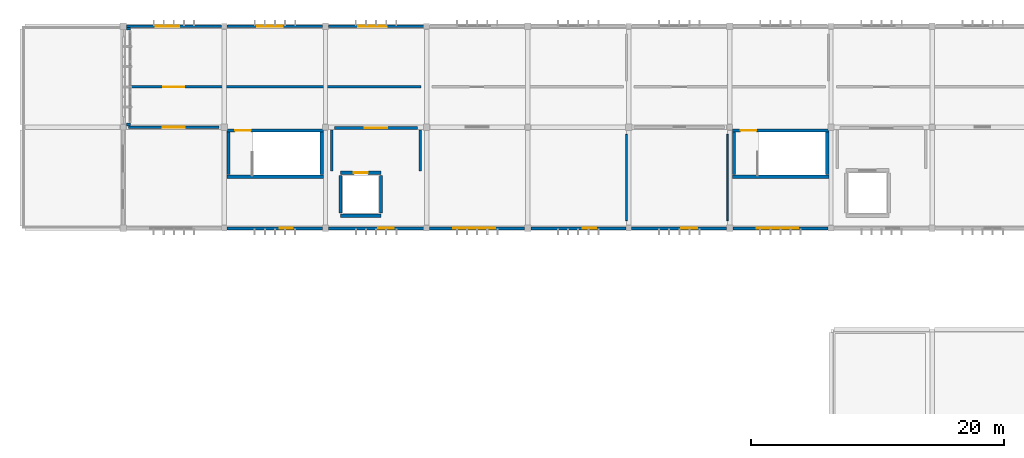
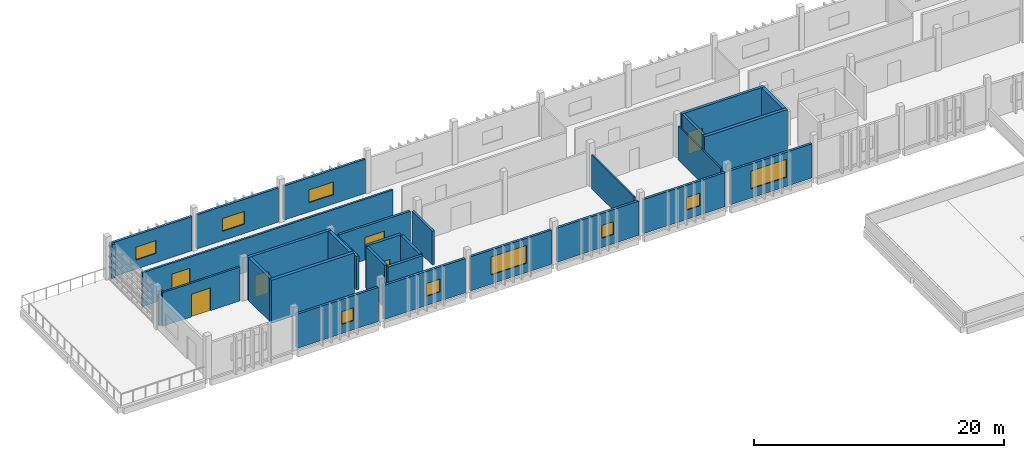
# One storey, part 10 of 16: 30 walls, 9 windows, 6 doors, 15 openings.
"""IFC4 building model written with IfcOpenShell, lengths in metres."""

from ifc_helpers import new_model, si_unit, direction, frame, frame_2d, origin, place, context, subcontext, project, spatial, rectangle, extrude, material, layer, layer_set, type_object, element, fill, save


model = new_model("IFC4")

# Units and contexts
model_context = context("Model", 3, precision=1e-05, world=origin(), true_north=direction((0.0, 1.0)))
body_context = subcontext(model_context, "Body", "Model", "MODEL_VIEW")
ifc_project = project(units=[si_unit("LENGTHUNIT", "METRE"), si_unit("AREAUNIT", "SQUARE_METRE"), si_unit("VOLUMEUNIT", "CUBIC_METRE"), si_unit("PLANEANGLEUNIT", "RADIAN"), si_unit("MASSUNIT", "GRAM", prefix="KILO")], contexts=[model_context])

# Site, building, storey
site_placement = place(None, origin())
site = spatial("IfcSite", under=ifc_project, at=site_placement, CompositionType="ELEMENT")
building_placement = place(site_placement, origin())
building = spatial("IfcBuilding", under=site, at=building_placement, Name="Jelvoka-Kovrelna Polytechnic", CompositionType="ELEMENT")
storey_placement = place(building_placement, frame((0.0, 0.0, 30.60009765625)))
storey = spatial("IfcBuildingStorey", under=building, at=storey_placement, Name="L08", CompositionType="ELEMENT", Elevation=30.60009765625)

# Wall, opening, door
ifc_material_1 = material(Name="Concrete C35/45", Category="concrete")
ifc_layer_1 = layer(ifc_material_1, 0.219970703125)
ifc_layer_set_1 = layer_set([ifc_layer_1], Name="Concrete C35/45")
wall_type_1 = type_object("IfcWallType", Name="Wall_Compartment_220", PredefinedType="PARTITIONING", material=ifc_layer_set_1)
wall_1_placement = place(storey_placement, frame((88.699951171875, 63.949951171875, 0.0), z_axis=(0.0, 0.0, 1.0), x_axis=(1.0, 0.0, 0.0)))
wall_1 = element("IfcWall", 1, at=wall_1_placement, inside=storey, type_object=wall_type_1, Name="L08 interior wall 0317", PredefinedType="PARTITIONING", context=body_context, shape_type="SweptSolid", body=[
    extrude(rectangle(XDim=6.60009765625, YDim=0.219970703125, at=frame_2d((3.300048828125, 0.0))), origin(), (0.0, 0.0, 1.0), 3.2998046875),
])
opening_1_placement = place(wall_1_placement, frame((2.39990234375, 0.0, 0.0)))
opening_1 = element("IfcOpeningElement", 2, at=opening_1_placement, cuts=wall_1, Name="Opening FD-L08-072", PredefinedType="OPENING", context=body_context, shape_type="SweptSolid", body=[
    extrude(rectangle(XDim=1.800048828125, YDim=2.199951171875, at=frame_2d((0.89990234375, 1.10009765625))), frame((0.0, 0.119873046875, 0.0), z_axis=(0.0, -1.0, 0.0), x_axis=(1.0, 0.0, 0.0)), (0.0, 0.0, 1.0), 0.239990234375),
])
ifc_material_2 = material(Name="Paired steel corridor fire door", Category="steel")
door_type_1 = type_object("IfcDoorType", Name="Door_Fire_FD03", OperationType="NOTDEFINED", PredefinedType="DOOR", material=ifc_material_2)
door_1_placement = place(opening_1_placement, origin())
door_1 = element("IfcDoor", 3, at=door_1_placement, inside=storey, type_object=door_type_1, Name="L08 interior door FD-L08-072", OperationType="DOUBLE_DOOR_SINGLE_SWING", OverallHeight=2.199951171875, OverallWidth=1.800048828125, PredefinedType="DOOR", context=body_context, shape_type="SweptSolid", body=[
    extrude(rectangle(XDim=1.800048828125, YDim=2.199951171875, at=frame_2d((0.89990234375, 1.10009765625))), frame((0.0, 0.02490234375, 0.0), z_axis=(0.0, -1.0, 0.0), x_axis=(1.0, 0.0, 0.0)), (0.0, 0.0, 1.0), 0.050048828125),
])
fill(opening_1, door_1)

# Walls
for number, where, z_axis, x_axis, name in (
    (4, (88.5, 60.550048828125, 0.0), (0.0, 0.0, 1.0), (0.0, 1.0, 0.0), "L08 interior wall 0318"),
    (5, (95.5, 60.550048828125, 0.0), (0.0, 0.0, 1.0), (0.0, 1.0, 0.0), "L08 interior wall 0319"),
):
    element("IfcWall", number, at=place(storey_placement, frame(where, z_axis=z_axis, x_axis=x_axis)), inside=storey, type_object=wall_type_1, Name=name, PredefinedType="PARTITIONING", context=body_context, shape_type="SweptSolid", body=[
        extrude(rectangle(XDim=3.25, YDim=0.219970703125, at=frame_2d((1.625, 0.0))), origin(), (0.0, 0.0, 1.0), 3.2998046875),
    ])

# Wall, opening, door
ifc_material_3 = material(Name="Concrete C40/50", Category="concrete")
ifc_layer_2 = layer(ifc_material_3, 0.25)
ifc_layer_set_2 = layer_set([ifc_layer_2], Name="Concrete C40/50")
wall_type_2 = type_object("IfcWallType", Name="Wall_Core_250", PredefinedType="SOLIDWALL", material=ifc_layer_set_2)
wall_2_placement = place(storey_placement, frame((80.199951171875, 63.739990234375, 0.0), z_axis=(0.0, 0.0, 1.0), x_axis=(1.0, 0.0, 0.0)))
wall_2 = element("IfcWall", 6, at=wall_2_placement, inside=storey, type_object=wall_type_2, Name="L08 interior wall 0179", PredefinedType="SOLIDWALL", context=body_context, shape_type="SweptSolid", body=[
    extrude(rectangle(XDim=7.650146484375, YDim=0.25, at=frame_2d((3.8251953125, 0.0))), origin(), (0.0, 0.0, 1.0), 4.199951171875),
])
opening_2_placement = place(wall_2_placement, frame((0.64990234375, 0.0, 0.0)))
opening_2 = element("IfcOpeningElement", 7, at=opening_2_placement, cuts=wall_2, Name="Opening SD-L08-045", PredefinedType="OPENING", context=body_context, shape_type="SweptSolid", body=[
    extrude(rectangle(XDim=1.25, YDim=2.14990234375, at=frame_2d((0.625, 1.074951171875))), frame((0.0, 0.135009765625, 0.0), z_axis=(0.0, -1.0, 0.0), x_axis=(1.0, 0.0, 0.0)), (0.0, 0.0, 1.0), 0.27001953125),
])
ifc_material_4 = material(Name="Powder-coated steel fire door", Category="steel")
door_type_2 = type_object("IfcDoorType", Name="Door_Fire_FD02", OperationType="NOTDEFINED", PredefinedType="DOOR", material=ifc_material_4)
door_2_placement = place(opening_2_placement, origin())
door_2 = element("IfcDoor", 8, at=door_2_placement, inside=storey, type_object=door_type_2, Name="L08 interior door SD-L08-045", OperationType="SINGLE_SWING_LEFT", OverallHeight=2.14990234375, OverallWidth=1.25, PredefinedType="DOOR", context=body_context, shape_type="SweptSolid", body=[
    extrude(rectangle(XDim=1.25, YDim=2.14990234375, at=frame_2d((0.625, 1.074951171875))), frame((0.0, 0.02490234375, 0.0), z_axis=(0.0, -1.0, 0.0), x_axis=(1.0, 0.0, 0.0)), (0.0, 0.0, 1.0), 0.050048828125),
])
fill(opening_2, door_2)

# Wall
wall_3_placement = place(storey_placement, frame((80.324951171875, 60.25, 0.0), z_axis=(0.0, 0.0, 1.0), x_axis=(0.0, 1.0, 0.0)))
element("IfcWall", 9, at=wall_3_placement, inside=storey, type_object=wall_type_2, Name="L08 interior wall 0180", PredefinedType="SOLIDWALL", context=body_context, shape_type="SweptSolid", body=[
    extrude(rectangle(XDim=3.360107421875, YDim=0.25, at=frame_2d((1.68017578125, 0.0))), origin(), (0.0, 0.0, 1.0), 4.199951171875),
])

# Wall, opening, door
wall_4_placement = place(storey_placement, frame((120.199951171875, 63.739990234375, 0.0), z_axis=(0.0, 0.0, 1.0), x_axis=(1.0, 0.0, 0.0)))
wall_4 = element("IfcWall", 10, at=wall_4_placement, inside=storey, type_object=wall_type_2, Name="L08 interior wall 0251", PredefinedType="SOLIDWALL", context=body_context, shape_type="SweptSolid", body=[
    extrude(rectangle(XDim=7.650146484375, YDim=0.25, at=frame_2d((3.8251953125, 0.0))), origin(), (0.0, 0.0, 1.0), 4.199951171875),
])
opening_3_placement = place(wall_4_placement, frame((0.64990234375, 0.0, 0.0)))
opening_3 = element("IfcOpeningElement", 11, at=opening_3_placement, cuts=wall_4, Name="Opening SD-L08-063", PredefinedType="OPENING", context=body_context, shape_type="SweptSolid", body=[
    extrude(rectangle(XDim=1.25, YDim=2.14990234375, at=frame_2d((0.625, 1.074951171875))), frame((0.0, 0.135009765625, 0.0), z_axis=(0.0, -1.0, 0.0), x_axis=(1.0, 0.0, 0.0)), (0.0, 0.0, 1.0), 0.27001953125),
])
door_3_placement = place(opening_3_placement, origin())
door_3 = element("IfcDoor", 12, at=door_3_placement, inside=storey, type_object=door_type_2, Name="L08 interior door SD-L08-063", OperationType="SINGLE_SWING_LEFT", OverallHeight=2.14990234375, OverallWidth=1.25, PredefinedType="DOOR", context=body_context, shape_type="SweptSolid", body=[
    extrude(rectangle(XDim=1.25, YDim=2.14990234375, at=frame_2d((0.625, 1.074951171875))), frame((0.0, 0.02490234375, 0.0), z_axis=(0.0, -1.0, 0.0), x_axis=(1.0, 0.0, 0.0)), (0.0, 0.0, 1.0), 0.050048828125),
])
fill(opening_3, door_3)

# Walls
wall_5_placement = place(storey_placement, frame((120.324951171875, 60.25, 0.0), z_axis=(0.0, 0.0, 1.0), x_axis=(0.0, 1.0, 0.0)))
element("IfcWall", 13, at=wall_5_placement, inside=storey, type_object=wall_type_2, Name="L08 interior wall 0252", PredefinedType="SOLIDWALL", context=body_context, shape_type="SweptSolid", body=[
    extrude(rectangle(XDim=3.360107421875, YDim=0.25, at=frame_2d((1.68017578125, 0.0))), origin(), (0.0, 0.0, 1.0), 4.199951171875),
])
wall_6_placement = place(storey_placement, frame((89.199951171875, 57.0, 0.0), z_axis=(0.0, 0.0, 1.0), x_axis=(1.0, 0.0, 0.0)))
element("IfcWall", 14, at=wall_6_placement, inside=storey, type_object=wall_type_2, Name="L08 interior wall 0313", PredefinedType="SOLIDWALL", context=body_context, shape_type="SweptSolid", body=[
    extrude(rectangle(XDim=3.199951171875, YDim=0.25, at=frame_2d((1.60009765625, 0.0))), origin(), (0.0, 0.0, 1.0), 4.199951171875),
])

# Wall, opening, door
wall_7_placement = place(storey_placement, frame((89.199951171875, 60.39990234375, 0.0), z_axis=(0.0, 0.0, 1.0), x_axis=(1.0, 0.0, 0.0)))
wall_7 = element("IfcWall", 15, at=wall_7_placement, inside=storey, type_object=wall_type_2, Name="L08 interior wall 0314", PredefinedType="SOLIDWALL", context=body_context, shape_type="SweptSolid", body=[
    extrude(rectangle(XDim=3.199951171875, YDim=0.25, at=frame_2d((1.60009765625, 0.0))), origin(), (0.0, 0.0, 1.0), 4.199951171875),
])
opening_4_placement = place(wall_7_placement, frame((1.050048828125, 0.0, 0.0)))
opening_4 = element("IfcOpeningElement", 16, at=opening_4_placement, cuts=wall_7, Name="Opening LD-L08-09", PredefinedType="OPENING", context=body_context, shape_type="SweptSolid", body=[
    extrude(rectangle(XDim=1.10009765625, YDim=2.14990234375, at=frame_2d((0.550048828125, 1.074951171875))), frame((0.0, 0.135009765625, 0.0), z_axis=(0.0, -1.0, 0.0), x_axis=(1.0, 0.0, 0.0)), (0.0, 0.0, 1.0), 0.27001953125),
])
ifc_material_5 = material(Name="Brushed stainless steel sliding landing door", Category="steel")
door_type_3 = type_object("IfcDoorType", Name="Door_Lift_LD01", OperationType="NOTDEFINED", PredefinedType="DOOR", material=ifc_material_5)
door_4_placement = place(opening_4_placement, origin())
door_4 = element("IfcDoor", 17, at=door_4_placement, inside=storey, type_object=door_type_3, Name="L08 lift landing sliding door LD-L08-09", OperationType="DOUBLE_DOOR_SLIDING", OverallHeight=2.14990234375, OverallWidth=1.10009765625, PredefinedType="DOOR", context=body_context, shape_type="SweptSolid", body=[
    extrude(rectangle(XDim=1.10009765625, YDim=2.14990234375, at=frame_2d((0.550048828125, 1.074951171875))), frame((0.0, 0.02490234375, 0.0), z_axis=(0.0, -1.0, 0.0), x_axis=(1.0, 0.0, 0.0)), (0.0, 0.0, 1.0), 0.050048828125),
])
fill(opening_4, door_4)

# Walls
for number, where, z_axis, x_axis, name in (
    (18, (89.199951171875, 57.199951171875, 0.0), (0.0, 0.0, 1.0), (0.0, 1.0, 0.0), "L08 interior wall 0315"),
    (19, (92.39990234375, 57.199951171875, 0.0), (0.0, 0.0, 1.0), (0.0, 1.0, 0.0), "L08 interior wall 0316"),
):
    element("IfcWall", number, at=place(storey_placement, frame(where, z_axis=z_axis, x_axis=x_axis)), inside=storey, type_object=wall_type_2, Name=name, PredefinedType="SOLIDWALL", context=body_context, shape_type="SweptSolid", body=[
        extrude(rectangle(XDim=3.0, YDim=0.25, at=frame_2d((1.5, 0.0))), origin(), (0.0, 0.0, 1.0), 4.199951171875),
    ])

# Wall, opening, door
ifc_material_6 = material(Name="Autoclaved aerated concrete blockwork", Category="masonry")
ifc_layer_3 = layer(ifc_material_6, 0.179931640625)
ifc_layer_set_3 = layer_set([ifc_layer_3], Name="Autoclaved aerated concrete blockwork")
wall_type_3 = type_object("IfcWallType", Name="Wall_Corridor_180", PredefinedType="PARTITIONING", material=ifc_layer_set_3)
wall_8_placement = place(storey_placement, frame((72.429931640625, 64.0, 0.0), z_axis=(0.0, 0.0, 1.0), x_axis=(1.0, 0.0, 0.0)))
wall_8 = element("IfcWall", 20, at=wall_8_placement, inside=storey, type_object=wall_type_3, Name="L08 interior wall 1308", PredefinedType="PARTITIONING", context=body_context, shape_type="SweptSolid", body=[
    extrude(rectangle(XDim=7.14013671875, YDim=0.179931640625, at=frame_2d((3.570068359375, 0.0))), origin(), (0.0, 0.0, 1.0), 3.2998046875),
])
opening_5_placement = place(wall_8_placement, frame((2.699951171875, 0.0, 0.0)))
opening_5 = element("IfcOpeningElement", 21, at=opening_5_placement, cuts=wall_8, Name="Opening D-L08-466", PredefinedType="OPENING", context=body_context, shape_type="SweptSolid", body=[
    extrude(rectangle(XDim=1.739990234375, YDim=2.219970703125, at=frame_2d((0.8701171875, 1.10986328125))), frame((0.0, 0.099853515625, 0.0), z_axis=(0.0, -1.0, 0.0), x_axis=(1.0, 0.0, 0.0)), (0.0, 0.0, 1.0), 0.199951171875),
])
ifc_material_7 = material(Name="Paired hardwood fire-resisting refectory door", Category="wood")
door_type_4 = type_object("IfcDoorType", Name="Door_Fire_FD30_09", OperationType="NOTDEFINED", PredefinedType="DOOR", material=ifc_material_7)
door_5_placement = place(opening_5_placement, origin())
door_5 = element("IfcDoor", 22, at=door_5_placement, inside=storey, type_object=door_type_4, Name="L08 interior door D-L08-466", OperationType="DOUBLE_DOOR_SINGLE_SWING", OverallHeight=2.219970703125, OverallWidth=1.739990234375, PredefinedType="DOOR", context=body_context, shape_type="SweptSolid", body=[
    extrude(rectangle(XDim=1.739990234375, YDim=2.219970703125, at=frame_2d((0.8701171875, 1.10986328125))), frame((0.0, 0.02490234375, 0.0), z_axis=(0.0, -1.0, 0.0), x_axis=(1.0, 0.0, 0.0)), (0.0, 0.0, 1.0), 0.050048828125),
])
fill(opening_5, door_5)

wall_9_placement = place(storey_placement, frame((72.429931640625, 67.199951171875, 0.0), z_axis=(0.0, 0.0, 1.0), x_axis=(1.0, 0.0, 0.0)))
wall_9 = element("IfcWall", 23, at=wall_9_placement, inside=storey, type_object=wall_type_3, Name="L08 interior wall 1317", PredefinedType="PARTITIONING", context=body_context, shape_type="SweptSolid", body=[
    extrude(rectangle(XDim=23.14013671875, YDim=0.179931640625, at=frame_2d((11.570068359375, 0.0))), origin(), (0.0, 0.0, 1.0), 3.2998046875),
])
opening_6_placement = place(wall_9_placement, frame((2.739990234375, 0.0, 0.0)))
opening_6 = element("IfcOpeningElement", 24, at=opening_6_placement, cuts=wall_9, Name="Opening D-L08-472", PredefinedType="OPENING", context=body_context, shape_type="SweptSolid", body=[
    extrude(rectangle(XDim=1.659912109375, YDim=2.219970703125, at=frame_2d((0.830078125, 1.10986328125))), frame((0.0, 0.099853515625, 0.0), z_axis=(0.0, -1.0, 0.0), x_axis=(1.0, 0.0, 0.0)), (0.0, 0.0, 1.0), 0.199951171875),
])
ifc_material_8 = material(Name="Paired acoustic fire-resisting lecture door", Category="wood")
door_type_5 = type_object("IfcDoorType", Name="Door_Fire_FD30_08", OperationType="NOTDEFINED", PredefinedType="DOOR", material=ifc_material_8)
door_6_placement = place(opening_6_placement, origin())
door_6 = element("IfcDoor", 25, at=door_6_placement, inside=storey, type_object=door_type_5, Name="L08 interior door D-L08-472", OperationType="DOUBLE_DOOR_SINGLE_SWING", OverallHeight=2.219970703125, OverallWidth=1.659912109375, PredefinedType="DOOR", context=body_context, shape_type="SweptSolid", body=[
    extrude(rectangle(XDim=1.659912109375, YDim=2.219970703125, at=frame_2d((0.830078125, 1.10986328125))), frame((0.0, 0.02490234375, 0.0), z_axis=(0.0, -1.0, 0.0), x_axis=(1.0, 0.0, 0.0)), (0.0, 0.0, 1.0), 0.050048828125),
])
fill(opening_6, door_6)

# Wall, opening, window
ifc_material_9 = material(Name="Precast concrete C40/50", Category="concrete")
ifc_layer_4 = layer(ifc_material_9, 0.219970703125)
ifc_layer_set_4 = layer_set([ifc_layer_4], Name="Precast concrete C40/50")
wall_type_4 = type_object("IfcWallType", Name="Wall_Ext_White_220", PredefinedType="STANDARD", material=ifc_layer_set_4)
wall_10_placement = place(storey_placement, frame((72.2470703125, 72.0, 0.0), z_axis=(0.0, 0.0, 1.0), x_axis=(1.0, 0.0, 0.0)))
wall_10 = element("IfcWall", 26, at=wall_10_placement, inside=storey, type_object=wall_type_4, Name="L08 exterior wall 0819", PredefinedType="STANDARD", context=body_context, shape_type="SweptSolid", body=[
    extrude(rectangle(XDim=7.531005859375, YDim=0.219970703125, at=frame_2d((3.765625, 0.0))), origin(), (0.0, 0.0, 1.0), 3.3349609375),
])
opening_7_placement = place(wall_10_placement, frame((2.3330078125, 0.0, 0.89990234375)))
opening_7 = element("IfcOpeningElement", 27, at=opening_7_placement, cuts=wall_10, Name="Opening W-L08-465", PredefinedType="OPENING", context=body_context, shape_type="SweptSolid", body=[
    extrude(rectangle(XDim=1.85009765625, YDim=1.25, at=frame_2d((0.925048828125, 0.625))), frame((0.0, 0.119873046875, 0.0), z_axis=(0.0, -1.0, 0.0), x_axis=(1.0, 0.0, 0.0)), (0.0, 0.0, 1.0), 0.239990234375),
])
ifc_material_10 = material(Name="Thermally broken anodised aluminium and low-e glazing", Category="aluminium")
window_type_1 = type_object("IfcWindowType", Name="Win_Casement_W05", PartitioningType="DOUBLE_PANEL_VERTICAL", PredefinedType="WINDOW", material=ifc_material_10)
window_1_placement = place(opening_7_placement, origin())
window_1 = element("IfcWindow", 28, at=window_1_placement, inside=storey, type_object=window_type_1, Name="L08 aluminium casement window W-L08-465", OverallHeight=1.25, OverallWidth=1.85009765625, PartitioningType="DOUBLE_PANEL_VERTICAL", PredefinedType="WINDOW", context=body_context, shape_type="SweptSolid", body=[
    extrude(rectangle(XDim=1.85009765625, YDim=1.25, at=frame_2d((0.925048828125, 0.625))), frame((0.0, 0.030029296875, 0.0), z_axis=(0.0, -1.0, 0.0), x_axis=(1.0, 0.0, 0.0)), (0.0, 0.0, 1.0), 0.06005859375),
])
fill(opening_7, window_1)

wall_11_placement = place(storey_placement, frame((87.7529296875, 56.0, 0.0), z_axis=(0.0, 0.0, 1.0), x_axis=(-1.0, 0.0, 0.0)))
wall_11 = element("IfcWall", 29, at=wall_11_placement, inside=storey, type_object=wall_type_4, Name="L08 exterior wall 0820", PredefinedType="STANDARD", context=body_context, shape_type="SweptSolid", body=[
    extrude(rectangle(XDim=7.531005859375, YDim=0.219970703125, at=frame_2d((3.765625, 0.0))), origin(), (0.0, 0.0, 1.0), 3.3349609375),
])
opening_8_placement = place(wall_11_placement, frame((2.3330078125, 0.0, 0.89990234375)))
opening_8 = element("IfcOpeningElement", 30, at=opening_8_placement, cuts=wall_11, Name="Opening W-L08-466", PredefinedType="OPENING", context=body_context, shape_type="SweptSolid", body=[
    extrude(rectangle(XDim=1.050048828125, YDim=1.25, at=frame_2d((0.52490234375, 0.625))), frame((0.0, 0.119873046875, 0.0), z_axis=(0.0, -1.0, 0.0), x_axis=(1.0, 0.0, 0.0)), (0.0, 0.0, 1.0), 0.239990234375),
])
ifc_material_11 = material(Name="Thermally broken anodised aluminium and low-e glazing", Category="aluminium")
window_type_2 = type_object("IfcWindowType", Name="Win_Casement_W01", PartitioningType="SINGLE_PANEL", PredefinedType="WINDOW", material=ifc_material_11)
window_2_placement = place(opening_8_placement, origin())
window_2 = element("IfcWindow", 31, at=window_2_placement, inside=storey, type_object=window_type_2, Name="L08 aluminium casement window W-L08-466", OverallHeight=1.25, OverallWidth=1.050048828125, PartitioningType="SINGLE_PANEL", PredefinedType="WINDOW", context=body_context, shape_type="SweptSolid", body=[
    extrude(rectangle(XDim=1.050048828125, YDim=1.25, at=frame_2d((0.52490234375, 0.625))), frame((0.0, 0.030029296875, 0.0), z_axis=(0.0, -1.0, 0.0), x_axis=(1.0, 0.0, 0.0)), (0.0, 0.0, 1.0), 0.06005859375),
])
fill(opening_8, window_2)

wall_12_placement = place(storey_placement, frame((80.221923828125, 72.0, 0.0), z_axis=(0.0, 0.0, 1.0), x_axis=(1.0, 0.0, 0.0)))
wall_12 = element("IfcWall", 32, at=wall_12_placement, inside=storey, type_object=wall_type_4, Name="L08 exterior wall 0821", PredefinedType="STANDARD", context=body_context, shape_type="SweptSolid", body=[
    extrude(rectangle(XDim=7.531005859375, YDim=0.219970703125, at=frame_2d((3.765625, 0.0))), origin(), (0.0, 0.0, 1.0), 3.3349609375),
])
opening_9_placement = place(wall_12_placement, frame((2.35791015625, 0.0, 0.89990234375)))
opening_9 = element("IfcOpeningElement", 33, at=opening_9_placement, cuts=wall_12, Name="Opening W-L08-467", PredefinedType="OPENING", context=body_context, shape_type="SweptSolid", body=[
    extrude(rectangle(XDim=2.050048828125, YDim=1.25, at=frame_2d((1.02490234375, 0.625))), frame((0.0, 0.119873046875, 0.0), z_axis=(0.0, -1.0, 0.0), x_axis=(1.0, 0.0, 0.0)), (0.0, 0.0, 1.0), 0.239990234375),
])
ifc_material_12 = material(Name="Thermally broken anodised aluminium and low-e glazing", Category="aluminium")
window_type_3 = type_object("IfcWindowType", Name="Win_Casement_W06", PartitioningType="DOUBLE_PANEL_VERTICAL", PredefinedType="WINDOW", material=ifc_material_12)
window_3_placement = place(opening_9_placement, origin())
window_3 = element("IfcWindow", 34, at=window_3_placement, inside=storey, type_object=window_type_3, Name="L08 aluminium casement window W-L08-467", OverallHeight=1.25, OverallWidth=2.050048828125, PartitioningType="DOUBLE_PANEL_VERTICAL", PredefinedType="WINDOW", context=body_context, shape_type="SweptSolid", body=[
    extrude(rectangle(XDim=2.050048828125, YDim=1.25, at=frame_2d((1.02490234375, 0.625))), frame((0.0, 0.030029296875, 0.0), z_axis=(0.0, -1.0, 0.0), x_axis=(1.0, 0.0, 0.0)), (0.0, 0.0, 1.0), 0.06005859375),
])
fill(opening_9, window_3)

wall_13_placement = place(storey_placement, frame((95.778076171875, 56.0, 0.0), z_axis=(0.0, 0.0, 1.0), x_axis=(-1.0, 0.0, 0.0)))
wall_13 = element("IfcWall", 35, at=wall_13_placement, inside=storey, type_object=wall_type_4, Name="L08 exterior wall 0822", PredefinedType="STANDARD", context=body_context, shape_type="SweptSolid", body=[
    extrude(rectangle(XDim=7.531005859375, YDim=0.219970703125, at=frame_2d((3.765625, 0.0))), origin(), (0.0, 0.0, 1.0), 3.3349609375),
])
opening_10_placement = place(wall_13_placement, frame((2.35791015625, 0.0, 0.89990234375)))
opening_10 = element("IfcOpeningElement", 36, at=opening_10_placement, cuts=wall_13, Name="Opening W-L08-468", PredefinedType="OPENING", context=body_context, shape_type="SweptSolid", body=[
    extrude(rectangle(XDim=1.25, YDim=1.25, at=frame_2d((0.625, 0.625))), frame((0.0, 0.119873046875, 0.0), z_axis=(0.0, -1.0, 0.0), x_axis=(1.0, 0.0, 0.0)), (0.0, 0.0, 1.0), 0.239990234375),
])
ifc_material_13 = material(Name="Thermally broken anodised aluminium and low-e glazing", Category="aluminium")
window_type_4 = type_object("IfcWindowType", Name="Win_Casement_W02", PartitioningType="SINGLE_PANEL", PredefinedType="WINDOW", material=ifc_material_13)
window_4_placement = place(opening_10_placement, origin())
window_4 = element("IfcWindow", 37, at=window_4_placement, inside=storey, type_object=window_type_4, Name="L08 aluminium casement window W-L08-468", OverallHeight=1.25, OverallWidth=1.25, PartitioningType="SINGLE_PANEL", PredefinedType="WINDOW", context=body_context, shape_type="SweptSolid", body=[
    extrude(rectangle(XDim=1.25, YDim=1.25, at=frame_2d((0.625, 0.625))), frame((0.0, 0.030029296875, 0.0), z_axis=(0.0, -1.0, 0.0), x_axis=(1.0, 0.0, 0.0)), (0.0, 0.0, 1.0), 0.06005859375),
])
fill(opening_10, window_4)

wall_14_placement = place(storey_placement, frame((88.2470703125, 72.0, 0.0), z_axis=(0.0, 0.0, 1.0), x_axis=(1.0, 0.0, 0.0)))
wall_14 = element("IfcWall", 38, at=wall_14_placement, inside=storey, type_object=wall_type_4, Name="L08 exterior wall 0823", PredefinedType="STANDARD", context=body_context, shape_type="SweptSolid", body=[
    extrude(rectangle(XDim=7.531005859375, YDim=0.219970703125, at=frame_2d((3.765625, 0.0))), origin(), (0.0, 0.0, 1.0), 3.3349609375),
])
opening_11_placement = place(wall_14_placement, frame((2.3330078125, 0.0, 0.89990234375)))
opening_11 = element("IfcOpeningElement", 39, at=opening_11_placement, cuts=wall_14, Name="Opening W-L08-469", PredefinedType="OPENING", context=body_context, shape_type="SweptSolid", body=[
    extrude(rectangle(XDim=2.25, YDim=1.25, at=frame_2d((1.125, 0.625))), frame((0.0, 0.119873046875, 0.0), z_axis=(0.0, -1.0, 0.0), x_axis=(1.0, 0.0, 0.0)), (0.0, 0.0, 1.0), 0.239990234375),
])
ifc_material_14 = material(Name="Thermally broken anodised aluminium and low-e glazing", Category="aluminium")
window_type_5 = type_object("IfcWindowType", Name="Win_Casement_W07", PartitioningType="DOUBLE_PANEL_VERTICAL", PredefinedType="WINDOW", material=ifc_material_14)
window_5_placement = place(opening_11_placement, origin())
window_5 = element("IfcWindow", 40, at=window_5_placement, inside=storey, type_object=window_type_5, Name="L08 aluminium casement window W-L08-469", OverallHeight=1.25, OverallWidth=2.25, PartitioningType="DOUBLE_PANEL_VERTICAL", PredefinedType="WINDOW", context=body_context, shape_type="SweptSolid", body=[
    extrude(rectangle(XDim=2.25, YDim=1.25, at=frame_2d((1.125, 0.625))), frame((0.0, 0.030029296875, 0.0), z_axis=(0.0, -1.0, 0.0), x_axis=(1.0, 0.0, 0.0)), (0.0, 0.0, 1.0), 0.06005859375),
])
fill(opening_11, window_5)

wall_15_placement = place(storey_placement, frame((103.7529296875, 56.0, 0.0), z_axis=(0.0, 0.0, 1.0), x_axis=(-1.0, 0.0, 0.0)))
wall_15 = element("IfcWall", 41, at=wall_15_placement, inside=storey, type_object=wall_type_4, Name="L08 exterior wall 0824", PredefinedType="STANDARD", context=body_context, shape_type="SweptSolid", body=[
    extrude(rectangle(XDim=7.531005859375, YDim=0.219970703125, at=frame_2d((3.765625, 0.0))), origin(), (0.0, 0.0, 1.0), 3.3349609375),
])
opening_12_placement = place(wall_15_placement, frame((2.3330078125, 0.0, 0.89990234375)))
opening_12 = element("IfcOpeningElement", 42, at=opening_12_placement, cuts=wall_15, Name="Opening W-L08-470", PredefinedType="OPENING", context=body_context, shape_type="SweptSolid", body=[
    extrude(rectangle(XDim=3.300048828125, YDim=1.75, at=frame_2d((1.64990234375, 0.875))), frame((0.0, 0.119873046875, 0.0), z_axis=(0.0, -1.0, 0.0), x_axis=(1.0, 0.0, 0.0)), (0.0, 0.0, 1.0), 0.239990234375),
])
ifc_material_15 = material(Name="Thermally broken anodised aluminium and low-e glazing", Category="aluminium")
window_type_6 = type_object("IfcWindowType", Name="Win_Casement_W62", PartitioningType="DOUBLE_PANEL_VERTICAL", PredefinedType="WINDOW", material=ifc_material_15)
window_6_placement = place(opening_12_placement, origin())
window_6 = element("IfcWindow", 43, at=window_6_placement, inside=storey, type_object=window_type_6, Name="L08 aluminium casement window W-L08-470", OverallHeight=1.75, OverallWidth=3.300048828125, PartitioningType="DOUBLE_PANEL_VERTICAL", PredefinedType="WINDOW", context=body_context, shape_type="SweptSolid", body=[
    extrude(rectangle(XDim=3.300048828125, YDim=1.75, at=frame_2d((1.64990234375, 0.875))), frame((0.0, 0.030029296875, 0.0), z_axis=(0.0, -1.0, 0.0), x_axis=(1.0, 0.0, 0.0)), (0.0, 0.0, 1.0), 0.06005859375),
])
fill(opening_12, window_6)

wall_16_placement = place(storey_placement, frame((111.778076171875, 56.0, 0.0), z_axis=(0.0, 0.0, 1.0), x_axis=(-1.0, 0.0, 0.0)))
wall_16 = element("IfcWall", 44, at=wall_16_placement, inside=storey, type_object=wall_type_4, Name="L08 exterior wall 0826", PredefinedType="STANDARD", context=body_context, shape_type="SweptSolid", body=[
    extrude(rectangle(XDim=7.531005859375, YDim=0.219970703125, at=frame_2d((3.765625, 0.0))), origin(), (0.0, 0.0, 1.0), 3.3349609375),
])
opening_13_placement = place(wall_16_placement, frame((2.35791015625, 0.0, 0.89990234375)))
opening_13 = element("IfcOpeningElement", 45, at=opening_13_placement, cuts=wall_16, Name="Opening W-L08-472", PredefinedType="OPENING", context=body_context, shape_type="SweptSolid", body=[
    extrude(rectangle(XDim=1.050048828125, YDim=1.25, at=frame_2d((0.52490234375, 0.625))), frame((0.0, 0.119873046875, 0.0), z_axis=(0.0, -1.0, 0.0), x_axis=(1.0, 0.0, 0.0)), (0.0, 0.0, 1.0), 0.239990234375),
])
window_7_placement = place(opening_13_placement, origin())
window_7 = element("IfcWindow", 46, at=window_7_placement, inside=storey, type_object=window_type_2, Name="L08 aluminium casement window W-L08-472", OverallHeight=1.25, OverallWidth=1.050048828125, PartitioningType="SINGLE_PANEL", PredefinedType="WINDOW", context=body_context, shape_type="SweptSolid", body=[
    extrude(rectangle(XDim=1.050048828125, YDim=1.25, at=frame_2d((0.52490234375, 0.625))), frame((0.0, 0.030029296875, 0.0), z_axis=(0.0, -1.0, 0.0), x_axis=(1.0, 0.0, 0.0)), (0.0, 0.0, 1.0), 0.06005859375),
])
fill(opening_13, window_7)

wall_17_placement = place(storey_placement, frame((119.7529296875, 56.0, 0.0), z_axis=(0.0, 0.0, 1.0), x_axis=(-1.0, 0.0, 0.0)))
wall_17 = element("IfcWall", 47, at=wall_17_placement, inside=storey, type_object=wall_type_4, Name="L08 exterior wall 0828", PredefinedType="STANDARD", context=body_context, shape_type="SweptSolid", body=[
    extrude(rectangle(XDim=7.531005859375, YDim=0.219970703125, at=frame_2d((3.765625, 0.0))), origin(), (0.0, 0.0, 1.0), 3.3349609375),
])
opening_14_placement = place(wall_17_placement, frame((2.3330078125, 0.0, 0.89990234375)))
opening_14 = element("IfcOpeningElement", 48, at=opening_14_placement, cuts=wall_17, Name="Opening W-L08-474", PredefinedType="OPENING", context=body_context, shape_type="SweptSolid", body=[
    extrude(rectangle(XDim=1.25, YDim=1.25, at=frame_2d((0.625, 0.625))), frame((0.0, 0.119873046875, 0.0), z_axis=(0.0, -1.0, 0.0), x_axis=(1.0, 0.0, 0.0)), (0.0, 0.0, 1.0), 0.239990234375),
])
window_8_placement = place(opening_14_placement, origin())
window_8 = element("IfcWindow", 49, at=window_8_placement, inside=storey, type_object=window_type_4, Name="L08 aluminium casement window W-L08-474", OverallHeight=1.25, OverallWidth=1.25, PartitioningType="SINGLE_PANEL", PredefinedType="WINDOW", context=body_context, shape_type="SweptSolid", body=[
    extrude(rectangle(XDim=1.25, YDim=1.25, at=frame_2d((0.625, 0.625))), frame((0.0, 0.030029296875, 0.0), z_axis=(0.0, -1.0, 0.0), x_axis=(1.0, 0.0, 0.0)), (0.0, 0.0, 1.0), 0.06005859375),
])
fill(opening_14, window_8)

wall_18_placement = place(storey_placement, frame((127.778076171875, 56.0, 0.0), z_axis=(0.0, 0.0, 1.0), x_axis=(-1.0, 0.0, 0.0)))
wall_18 = element("IfcWall", 50, at=wall_18_placement, inside=storey, type_object=wall_type_4, Name="L08 exterior wall 0830", PredefinedType="STANDARD", context=body_context, shape_type="SweptSolid", body=[
    extrude(rectangle(XDim=7.531005859375, YDim=0.219970703125, at=frame_2d((3.765625, 0.0))), origin(), (0.0, 0.0, 1.0), 3.3349609375),
])
opening_15_placement = place(wall_18_placement, frame((2.35791015625, 0.0, 0.89990234375)))
opening_15 = element("IfcOpeningElement", 51, at=opening_15_placement, cuts=wall_18, Name="Opening W-L08-476", PredefinedType="OPENING", context=body_context, shape_type="SweptSolid", body=[
    extrude(rectangle(XDim=3.300048828125, YDim=1.75, at=frame_2d((1.64990234375, 0.875))), frame((0.0, 0.119873046875, 0.0), z_axis=(0.0, -1.0, 0.0), x_axis=(1.0, 0.0, 0.0)), (0.0, 0.0, 1.0), 0.239990234375),
])
window_9_placement = place(opening_15_placement, origin())
window_9 = element("IfcWindow", 52, at=window_9_placement, inside=storey, type_object=window_type_6, Name="L08 aluminium casement window W-L08-476", OverallHeight=1.75, OverallWidth=3.300048828125, PartitioningType="DOUBLE_PANEL_VERTICAL", PredefinedType="WINDOW", context=body_context, shape_type="SweptSolid", body=[
    extrude(rectangle(XDim=3.300048828125, YDim=1.75, at=frame_2d((1.64990234375, 0.875))), frame((0.0, 0.030029296875, 0.0), z_axis=(0.0, -1.0, 0.0), x_axis=(1.0, 0.0, 0.0)), (0.0, 0.0, 1.0), 0.06005859375),
])
fill(opening_15, window_9)

# Walls
ifc_material_16 = material(Name="Precast concrete C40/50", Category="concrete")
ifc_layer_5 = layer(ifc_material_16, 0.199951171875)
ifc_layer_set_5 = layer_set([ifc_layer_5], Name="Precast concrete C40/50")
wall_type_5 = type_object("IfcWallType", Name="Wall_Parapet_200", PredefinedType="PARAPET", material=ifc_layer_set_5)
for number, where, z_axis, x_axis, name in (
    (53, (72.239990234375, 64.219970703125, 0.0), (0.0, 0.0, 1.0), (1.0, 0.0, 0.0), "L08 exterior wall 0847"),
    (54, (72.239990234375, 71.780029296875, 0.0), (0.0, 0.0, 1.0), (1.0, 0.0, 0.0), "L08 exterior wall 0848"),
):
    element("IfcWall", number, at=place(storey_placement, frame(where, z_axis=z_axis, x_axis=x_axis)), inside=storey, type_object=wall_type_5, Name=name, PredefinedType="PARAPET", context=body_context, shape_type="SweptSolid", body=[
        extrude(rectangle(XDim=0.320068359375, YDim=0.199951171875, at=frame_2d((0.16015625, 0.0))), origin(), (0.0, 0.0, 1.0), 3.349853515625),
    ])
ifc_material_17 = material(Name="Acoustic gypsum stud partition")
ifc_layer_6 = layer(ifc_material_17, 0.125)
ifc_layer_set_6 = layer_set([ifc_layer_6], Name="Acoustic gypsum stud partition")
wall_type_6 = type_object("IfcWallType", Name="Wall_Partition_125", PredefinedType="PARTITIONING", material=ifc_layer_set_6)
for number, where, z_axis, x_axis, name in (
    (55, (111.820068359375, 56.6201171875, 0.0), (0.0, 0.0, 1.0), (0.0, 1.0, 0.0), "L08 interior wall 1310"),
    (56, (119.820068359375, 56.6201171875, 0.0), (0.0, 0.0, 1.0), (0.0, 1.0, 0.0), "L08 interior wall 1312"),
):
    element("IfcWall", number, at=place(storey_placement, frame(where, z_axis=z_axis, x_axis=x_axis)), inside=storey, type_object=wall_type_6, Name=name, PredefinedType="PARTITIONING", context=body_context, shape_type="SweptSolid", body=[
        extrude(rectangle(XDim=6.809814453125, YDim=0.125, at=frame_2d((3.40478515625, 0.0))), origin(), (0.0, 0.0, 1.0), 3.2998046875),
    ])
ifc_material_18 = material(Name="Concrete C40/50", Category="concrete")
ifc_layer_7 = layer(ifc_material_18, 0.300048828125)
ifc_layer_set_7 = layer_set([ifc_layer_7], Name="Concrete C40/50")
wall_type_7 = type_object("IfcWallType", Name="Wall_Shear_300", PredefinedType="SHEAR", material=ifc_layer_set_7)
wall_19_placement = place(storey_placement, frame((80.199951171875, 60.090087890625, 0.0), z_axis=(0.0, 0.0, 1.0), x_axis=(1.0, 0.0, 0.0)))
element("IfcWall", 57, at=wall_19_placement, inside=storey, type_object=wall_type_7, Name="L08 interior wall 0177", PredefinedType="SHEAR", context=body_context, shape_type="SweptSolid", body=[
    extrude(rectangle(XDim=7.650146484375, YDim=0.300048828125, at=frame_2d((3.8251953125, 0.0))), origin(), (0.0, 0.0, 1.0), 4.199951171875),
])
wall_20_placement = place(storey_placement, frame((87.7099609375, 60.25, 0.0), z_axis=(0.0, 0.0, 1.0), x_axis=(0.0, 1.0, 0.0)))
element("IfcWall", 58, at=wall_20_placement, inside=storey, type_object=wall_type_7, Name="L08 interior wall 0178", PredefinedType="SHEAR", context=body_context, shape_type="SweptSolid", body=[
    extrude(rectangle(XDim=3.360107421875, YDim=0.300048828125, at=frame_2d((1.68017578125, 0.0))), origin(), (0.0, 0.0, 1.0), 4.199951171875),
])
wall_21_placement = place(storey_placement, frame((120.199951171875, 60.090087890625, 0.0), z_axis=(0.0, 0.0, 1.0), x_axis=(1.0, 0.0, 0.0)))
element("IfcWall", 59, at=wall_21_placement, inside=storey, type_object=wall_type_7, Name="L08 interior wall 0249", PredefinedType="SHEAR", context=body_context, shape_type="SweptSolid", body=[
    extrude(rectangle(XDim=7.650146484375, YDim=0.300048828125, at=frame_2d((3.8251953125, 0.0))), origin(), (0.0, 0.0, 1.0), 4.199951171875),
])
wall_22_placement = place(storey_placement, frame((127.7099609375, 60.25, 0.0), z_axis=(0.0, 0.0, 1.0), x_axis=(0.0, 1.0, 0.0)))
element("IfcWall", 60, at=wall_22_placement, inside=storey, type_object=wall_type_7, Name="L08 interior wall 0250", PredefinedType="SHEAR", context=body_context, shape_type="SweptSolid", body=[
    extrude(rectangle(XDim=3.360107421875, YDim=0.300048828125, at=frame_2d((1.68017578125, 0.0))), origin(), (0.0, 0.0, 1.0), 4.199951171875),
])

save(model, "model.ifc")
